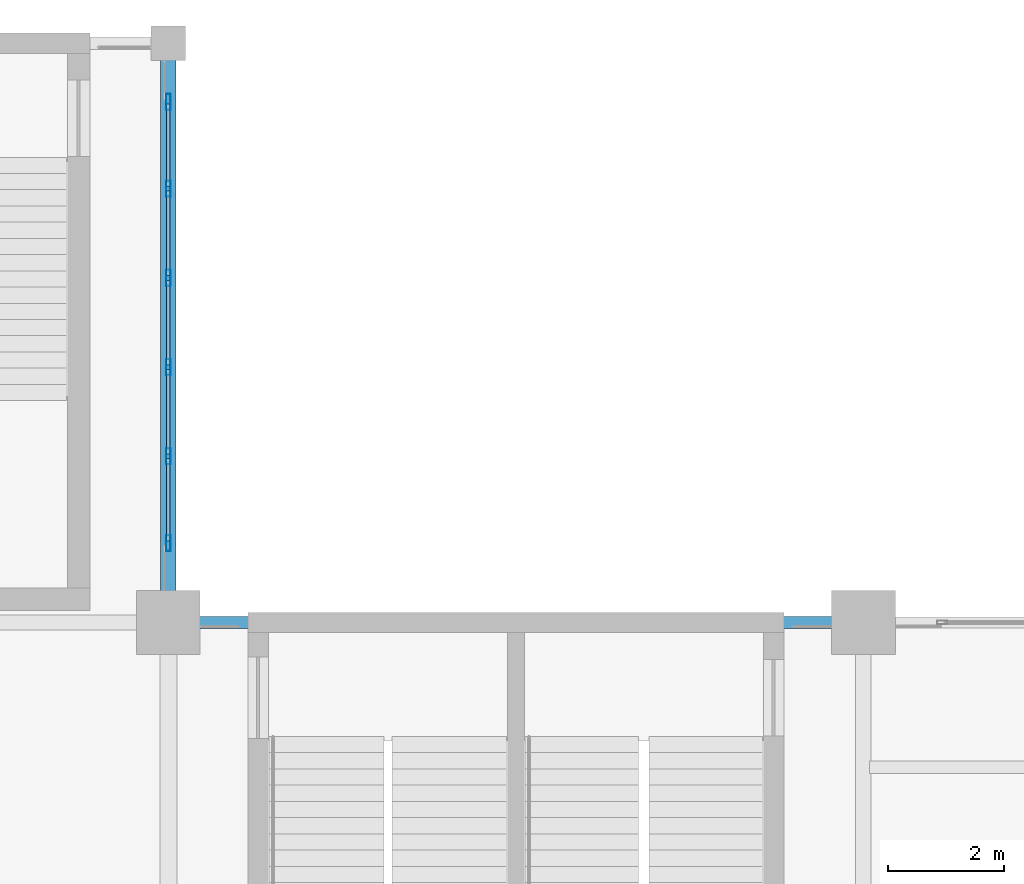
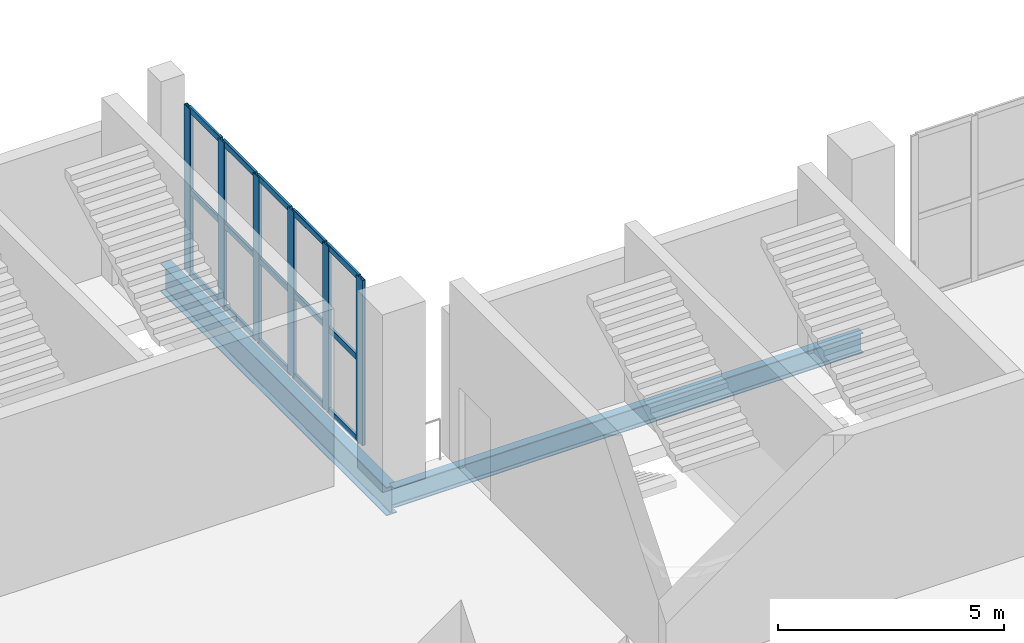
# One storey, part 87 of 136: 21 members, 2 beams, 1 element without a shape of its own.
"""IFC4 building model written with IfcOpenShell, lengths in metres."""

from ifc_helpers import new_model, si_unit, direction, frame, origin, origin_2d, place, context, subcontext, project, spatial, hollow_rectangle, i_section, extrude, material, layer, layer_set, material_profile, profile_set, type_object, element, aggregate, save


model = new_model("IFC4")

# Units and contexts
model_context = context("Model", 3, precision=1e-05, world=origin(), true_north=direction((0.0, 1.0)))
body_context = subcontext(model_context, "Body", "Model", "MODEL_VIEW")
ifc_project = project(units=[si_unit("LENGTHUNIT", "METRE"), si_unit("AREAUNIT", "SQUARE_METRE"), si_unit("VOLUMEUNIT", "CUBIC_METRE"), si_unit("PLANEANGLEUNIT", "RADIAN"), si_unit("MASSUNIT", "GRAM", prefix="KILO")], contexts=[model_context])

# Site, building, storey
site_placement = place(None, origin())
site = spatial("IfcSite", under=ifc_project, at=site_placement, CompositionType="ELEMENT")
building_placement = place(site_placement, origin())
building = spatial("IfcBuilding", under=site, at=building_placement, Name="Brinegate Civic Arena", CompositionType="ELEMENT")
storey_placement = place(building_placement, frame((0.0, 0.0, 5.39990234375)))
storey = spatial("IfcBuildingStorey", under=building, at=storey_placement, Name="L01", CompositionType="ELEMENT", Elevation=5.39990234375)

# Curtain wall, members
ifc_material_1 = material(Name="Marine grade aluminium", Category="aluminium")
ifc_layer = layer(ifc_material_1, 0.235107421875, Name="Marine grade aluminium")
ifc_layer_set = layer_set([ifc_layer], Name="Marine grade aluminium")
curtain_wall_type = type_object("IfcCurtainWallType", Name="CW-PORTAL-NORTH-01", PredefinedType="USERDEFINED", material=ifc_layer_set)
curtain_wall_placement = place(storey_placement, origin())
curtain_wall = element("IfcCurtainWall", 1, at=curtain_wall_placement, inside=storey, type_object=curtain_wall_type, Name="Curtain Wall CWA-069", ObjectType="PORTAL CURTAIN WALL", PredefinedType="USERDEFINED")
ifc_material_profile_1 = material_profile(ifc_material_1, hollow_rectangle(XDim=0.080078125, YDim=0.280029296875, WallThickness=0.007080078125, InnerFilletRadius=0.0048828125, OuterFilletRadius=0.010009765625, at=origin_2d()), Name="MUL80X280")
ifc_profile_set_1 = profile_set([ifc_material_profile_1], Name="Marine grade aluminium")
member_type_1 = type_object("IfcMemberType", Name="CW-MULLION-80X280", PredefinedType="MULLION", material=ifc_profile_set_1)
member_1_placement = place(storey_placement, frame((132.0, 115.367919921875, 0.0), z_axis=(0.0, 0.0, 1.0), x_axis=(-1.0, 0.0, 0.0)))
member_1 = element("IfcMember", 2, at=member_1_placement, type_object=member_type_1, Name="CWA-069 mullion 1", PredefinedType="MULLION", context=body_context, shape_type="SweptSolid", body=[
    extrude(hollow_rectangle(XDim=0.080078125, YDim=0.280029296875, WallThickness=0.007080078125, InnerFilletRadius=0.0048828125, OuterFilletRadius=0.010009765625, at=origin_2d()), origin(), (0.0, 0.0, 1.0), 4.47021484375),
])
member_2_placement = place(storey_placement, frame((132.0, 116.86767578125, 0.0), z_axis=(0.0, 0.0, 1.0), x_axis=(-1.0, 0.0, 0.0)))
member_2 = element("IfcMember", 3, at=member_2_placement, type_object=member_type_1, Name="CWA-069 mullion 2", PredefinedType="MULLION", context=body_context, shape_type="SweptSolid", body=[
    extrude(hollow_rectangle(XDim=0.080078125, YDim=0.280029296875, WallThickness=0.007080078125, InnerFilletRadius=0.0048828125, OuterFilletRadius=0.010009765625, at=origin_2d()), origin(), (0.0, 0.0, 1.0), 4.47021484375),
])
member_3_placement = place(storey_placement, frame((132.0, 118.4072265625, 0.0), z_axis=(0.0, 0.0, 1.0), x_axis=(-1.0, 0.0, 0.0)))
member_3 = element("IfcMember", 4, at=member_3_placement, type_object=member_type_1, Name="CWA-069 mullion 3", PredefinedType="MULLION", context=body_context, shape_type="SweptSolid", body=[
    extrude(hollow_rectangle(XDim=0.080078125, YDim=0.280029296875, WallThickness=0.007080078125, InnerFilletRadius=0.0048828125, OuterFilletRadius=0.010009765625, at=origin_2d()), origin(), (0.0, 0.0, 1.0), 4.47021484375),
])
member_4_placement = place(storey_placement, frame((132.0, 119.94677734375, 0.0), z_axis=(0.0, 0.0, 1.0), x_axis=(-1.0, 0.0, 0.0)))
member_4 = element("IfcMember", 5, at=member_4_placement, type_object=member_type_1, Name="CWA-069 mullion 4", PredefinedType="MULLION", context=body_context, shape_type="SweptSolid", body=[
    extrude(hollow_rectangle(XDim=0.080078125, YDim=0.280029296875, WallThickness=0.007080078125, InnerFilletRadius=0.0048828125, OuterFilletRadius=0.010009765625, at=origin_2d()), origin(), (0.0, 0.0, 1.0), 4.47021484375),
])
member_5_placement = place(storey_placement, frame((132.0, 121.486328125, 0.0), z_axis=(0.0, 0.0, 1.0), x_axis=(-1.0, 0.0, 0.0)))
member_5 = element("IfcMember", 6, at=member_5_placement, type_object=member_type_1, Name="CWA-069 mullion 5", PredefinedType="MULLION", context=body_context, shape_type="SweptSolid", body=[
    extrude(hollow_rectangle(XDim=0.080078125, YDim=0.280029296875, WallThickness=0.007080078125, InnerFilletRadius=0.0048828125, OuterFilletRadius=0.010009765625, at=origin_2d()), origin(), (0.0, 0.0, 1.0), 4.47021484375),
])
member_6_placement = place(storey_placement, frame((132.0, 122.986083984375, 0.0), z_axis=(0.0, 0.0, 1.0), x_axis=(-1.0, 0.0, 0.0)))
member_6 = element("IfcMember", 7, at=member_6_placement, type_object=member_type_1, Name="CWA-069 mullion 6", PredefinedType="MULLION", context=body_context, shape_type="SweptSolid", body=[
    extrude(hollow_rectangle(XDim=0.080078125, YDim=0.280029296875, WallThickness=0.007080078125, InnerFilletRadius=0.0048828125, OuterFilletRadius=0.010009765625, at=origin_2d()), origin(), (0.0, 0.0, 1.0), 4.47021484375),
])
ifc_material_profile_2 = material_profile(ifc_material_1, hollow_rectangle(XDim=0.06494140625, YDim=0.1650390625, WallThickness=0.0048828125, InnerFilletRadius=0.00390625, OuterFilletRadius=0.008056640625, at=origin_2d()), Name="TRN65X165")
ifc_profile_set_2 = profile_set([ifc_material_profile_2], Name="Marine grade aluminium")
member_type_2 = type_object("IfcMemberType", Name="CW-TRANSOM-65X165", PredefinedType="USERDEFINED", material=ifc_profile_set_2)
member_7_placement = place(storey_placement, frame((132.0, 115.407958984375, 0.03271484375), z_axis=(0.0, 1.0, 0.0), x_axis=(-1.0, 0.0, 0.0)))
member_7 = element("IfcMember", 8, at=member_7_placement, type_object=member_type_2, Name="CWA-069 transom 1.1", ObjectType="TRANSOM", PredefinedType="USERDEFINED", context=body_context, shape_type="SweptSolid", body=[
    extrude(hollow_rectangle(XDim=0.06494140625, YDim=0.1650390625, WallThickness=0.0048828125, InnerFilletRadius=0.00390625, OuterFilletRadius=0.008056640625, at=origin_2d()), origin(), (0.0, 0.0, 1.0), 1.419677734375),
])
member_8_placement = place(storey_placement, frame((132.0, 115.407958984375, 2.235107421875), z_axis=(0.0, 1.0, 0.0), x_axis=(-1.0, 0.0, 0.0)))
member_8 = element("IfcMember", 9, at=member_8_placement, type_object=member_type_2, Name="CWA-069 transom 1.2", ObjectType="TRANSOM", PredefinedType="USERDEFINED", context=body_context, shape_type="SweptSolid", body=[
    extrude(hollow_rectangle(XDim=0.06494140625, YDim=0.1650390625, WallThickness=0.0048828125, InnerFilletRadius=0.00390625, OuterFilletRadius=0.008056640625, at=origin_2d()), origin(), (0.0, 0.0, 1.0), 1.419677734375),
])
member_9_placement = place(storey_placement, frame((132.0, 115.407958984375, 4.4375), z_axis=(0.0, 1.0, 0.0), x_axis=(-1.0, 0.0, 0.0)))
member_9 = element("IfcMember", 10, at=member_9_placement, type_object=member_type_2, Name="CWA-069 transom 1.3", ObjectType="TRANSOM", PredefinedType="USERDEFINED", context=body_context, shape_type="SweptSolid", body=[
    extrude(hollow_rectangle(XDim=0.06494140625, YDim=0.1650390625, WallThickness=0.0048828125, InnerFilletRadius=0.00390625, OuterFilletRadius=0.008056640625, at=origin_2d()), origin(), (0.0, 0.0, 1.0), 1.419677734375),
])
member_10_placement = place(storey_placement, frame((132.0, 116.90771484375, 0.03271484375), z_axis=(0.0, 1.0, 0.0), x_axis=(-1.0, 0.0, 0.0)))
member_10 = element("IfcMember", 11, at=member_10_placement, type_object=member_type_2, Name="CWA-069 transom 2.1", ObjectType="TRANSOM", PredefinedType="USERDEFINED", context=body_context, shape_type="SweptSolid", body=[
    extrude(hollow_rectangle(XDim=0.06494140625, YDim=0.1650390625, WallThickness=0.0048828125, InnerFilletRadius=0.00390625, OuterFilletRadius=0.008056640625, at=origin_2d()), origin(), (0.0, 0.0, 1.0), 1.45947265625),
])
member_11_placement = place(storey_placement, frame((132.0, 116.90771484375, 2.235107421875), z_axis=(0.0, 1.0, 0.0), x_axis=(-1.0, 0.0, 0.0)))
member_11 = element("IfcMember", 12, at=member_11_placement, type_object=member_type_2, Name="CWA-069 transom 2.2", ObjectType="TRANSOM", PredefinedType="USERDEFINED", context=body_context, shape_type="SweptSolid", body=[
    extrude(hollow_rectangle(XDim=0.06494140625, YDim=0.1650390625, WallThickness=0.0048828125, InnerFilletRadius=0.00390625, OuterFilletRadius=0.008056640625, at=origin_2d()), origin(), (0.0, 0.0, 1.0), 1.45947265625),
])
member_12_placement = place(storey_placement, frame((132.0, 116.90771484375, 4.4375), z_axis=(0.0, 1.0, 0.0), x_axis=(-1.0, 0.0, 0.0)))
member_12 = element("IfcMember", 13, at=member_12_placement, type_object=member_type_2, Name="CWA-069 transom 2.3", ObjectType="TRANSOM", PredefinedType="USERDEFINED", context=body_context, shape_type="SweptSolid", body=[
    extrude(hollow_rectangle(XDim=0.06494140625, YDim=0.1650390625, WallThickness=0.0048828125, InnerFilletRadius=0.00390625, OuterFilletRadius=0.008056640625, at=origin_2d()), origin(), (0.0, 0.0, 1.0), 1.45947265625),
])
member_13_placement = place(storey_placement, frame((132.0, 118.447265625, 0.03271484375), z_axis=(0.0, 1.0, 0.0), x_axis=(-1.0, 0.0, 0.0)))
member_13 = element("IfcMember", 14, at=member_13_placement, type_object=member_type_2, Name="CWA-069 transom 3.1", ObjectType="TRANSOM", PredefinedType="USERDEFINED", context=body_context, shape_type="SweptSolid", body=[
    extrude(hollow_rectangle(XDim=0.06494140625, YDim=0.1650390625, WallThickness=0.0048828125, InnerFilletRadius=0.00390625, OuterFilletRadius=0.008056640625, at=origin_2d()), origin(), (0.0, 0.0, 1.0), 1.45947265625),
])
member_14_placement = place(storey_placement, frame((132.0, 118.447265625, 2.235107421875), z_axis=(0.0, 1.0, 0.0), x_axis=(-1.0, 0.0, 0.0)))
member_14 = element("IfcMember", 15, at=member_14_placement, type_object=member_type_2, Name="CWA-069 transom 3.2", ObjectType="TRANSOM", PredefinedType="USERDEFINED", context=body_context, shape_type="SweptSolid", body=[
    extrude(hollow_rectangle(XDim=0.06494140625, YDim=0.1650390625, WallThickness=0.0048828125, InnerFilletRadius=0.00390625, OuterFilletRadius=0.008056640625, at=origin_2d()), origin(), (0.0, 0.0, 1.0), 1.45947265625),
])
member_15_placement = place(storey_placement, frame((132.0, 118.447265625, 4.4375), z_axis=(0.0, 1.0, 0.0), x_axis=(-1.0, 0.0, 0.0)))
member_15 = element("IfcMember", 16, at=member_15_placement, type_object=member_type_2, Name="CWA-069 transom 3.3", ObjectType="TRANSOM", PredefinedType="USERDEFINED", context=body_context, shape_type="SweptSolid", body=[
    extrude(hollow_rectangle(XDim=0.06494140625, YDim=0.1650390625, WallThickness=0.0048828125, InnerFilletRadius=0.00390625, OuterFilletRadius=0.008056640625, at=origin_2d()), origin(), (0.0, 0.0, 1.0), 1.45947265625),
])
member_16_placement = place(storey_placement, frame((132.0, 119.98681640625, 0.03271484375), z_axis=(0.0, 1.0, 0.0), x_axis=(-1.0, 0.0, 0.0)))
member_16 = element("IfcMember", 17, at=member_16_placement, type_object=member_type_2, Name="CWA-069 transom 4.1", ObjectType="TRANSOM", PredefinedType="USERDEFINED", context=body_context, shape_type="SweptSolid", body=[
    extrude(hollow_rectangle(XDim=0.06494140625, YDim=0.1650390625, WallThickness=0.0048828125, InnerFilletRadius=0.00390625, OuterFilletRadius=0.008056640625, at=origin_2d()), origin(), (0.0, 0.0, 1.0), 1.45947265625),
])
member_17_placement = place(storey_placement, frame((132.0, 119.98681640625, 2.235107421875), z_axis=(0.0, 1.0, 0.0), x_axis=(-1.0, 0.0, 0.0)))
member_17 = element("IfcMember", 18, at=member_17_placement, type_object=member_type_2, Name="CWA-069 transom 4.2", ObjectType="TRANSOM", PredefinedType="USERDEFINED", context=body_context, shape_type="SweptSolid", body=[
    extrude(hollow_rectangle(XDim=0.06494140625, YDim=0.1650390625, WallThickness=0.0048828125, InnerFilletRadius=0.00390625, OuterFilletRadius=0.008056640625, at=origin_2d()), origin(), (0.0, 0.0, 1.0), 1.45947265625),
])
member_18_placement = place(storey_placement, frame((132.0, 119.98681640625, 4.4375), z_axis=(0.0, 1.0, 0.0), x_axis=(-1.0, 0.0, 0.0)))
member_18 = element("IfcMember", 19, at=member_18_placement, type_object=member_type_2, Name="CWA-069 transom 4.3", ObjectType="TRANSOM", PredefinedType="USERDEFINED", context=body_context, shape_type="SweptSolid", body=[
    extrude(hollow_rectangle(XDim=0.06494140625, YDim=0.1650390625, WallThickness=0.0048828125, InnerFilletRadius=0.00390625, OuterFilletRadius=0.008056640625, at=origin_2d()), origin(), (0.0, 0.0, 1.0), 1.45947265625),
])
member_19_placement = place(storey_placement, frame((132.0, 121.5263671875, 0.03271484375), z_axis=(0.0, 1.0, 0.0), x_axis=(-1.0, 0.0, 0.0)))
member_19 = element("IfcMember", 20, at=member_19_placement, type_object=member_type_2, Name="CWA-069 transom 5.1", ObjectType="TRANSOM", PredefinedType="USERDEFINED", context=body_context, shape_type="SweptSolid", body=[
    extrude(hollow_rectangle(XDim=0.06494140625, YDim=0.1650390625, WallThickness=0.0048828125, InnerFilletRadius=0.00390625, OuterFilletRadius=0.008056640625, at=origin_2d()), origin(), (0.0, 0.0, 1.0), 1.419677734375),
])
member_20_placement = place(storey_placement, frame((132.0, 121.5263671875, 2.235107421875), z_axis=(0.0, 1.0, 0.0), x_axis=(-1.0, 0.0, 0.0)))
member_20 = element("IfcMember", 21, at=member_20_placement, type_object=member_type_2, Name="CWA-069 transom 5.2", ObjectType="TRANSOM", PredefinedType="USERDEFINED", context=body_context, shape_type="SweptSolid", body=[
    extrude(hollow_rectangle(XDim=0.06494140625, YDim=0.1650390625, WallThickness=0.0048828125, InnerFilletRadius=0.00390625, OuterFilletRadius=0.008056640625, at=origin_2d()), origin(), (0.0, 0.0, 1.0), 1.419677734375),
])
member_21_placement = place(storey_placement, frame((132.0, 121.5263671875, 4.4375), z_axis=(0.0, 1.0, 0.0), x_axis=(-1.0, 0.0, 0.0)))
member_21 = element("IfcMember", 22, at=member_21_placement, type_object=member_type_2, Name="CWA-069 transom 5.3", ObjectType="TRANSOM", PredefinedType="USERDEFINED", context=body_context, shape_type="SweptSolid", body=[
    extrude(hollow_rectangle(XDim=0.06494140625, YDim=0.1650390625, WallThickness=0.0048828125, InnerFilletRadius=0.00390625, OuterFilletRadius=0.008056640625, at=origin_2d()), origin(), (0.0, 0.0, 1.0), 1.419677734375),
])
aggregate(curtain_wall, [member_1, member_2, member_3, member_4, member_5, member_6, member_7, member_8, member_9, member_10, member_11, member_12, member_13, member_14, member_15, member_16, member_17, member_18, member_19, member_20, member_21])

# Beams
ifc_material_2 = material(Name="Steel S355", Category="steel")
ifc_material_profile_3 = material_profile(ifc_material_2, i_section(OverallWidth=0.26806640625, OverallDepth=0.77001953125, WebThickness=0.01611328125, FlangeThickness=0.02490234375, FilletRadius=0.02001953125, at=origin_2d()), Name="W760X196")
ifc_profile_set_3 = profile_set([ifc_material_profile_3], Name="Steel S355")
beam_type_1 = type_object("IfcBeamType", Name="GIRDER-W760X196", PredefinedType="BEAM", material=ifc_profile_set_3)
beam_1_placement = place(storey_placement, frame((132.0, 114.0, -0.724853515625), z_axis=(0.0, 1.0, 0.0), x_axis=(-1.0, 0.0, 0.0)))
element("IfcBeam", 23, at=beam_1_placement, inside=storey, type_object=beam_type_1, Name="Floor Girder BM-L01-GY-11-11", PredefinedType="BEAM", context=body_context, shape_type="SweptSolid", body=[
    extrude(i_section(OverallWidth=0.26806640625, OverallDepth=0.77001953125, WebThickness=0.01611328125, FlangeThickness=0.02490234375, FilletRadius=0.02001953125, at=origin_2d()), origin(), (0.0, 0.0, 1.0), 10.0),
])
ifc_material_profile_4 = material_profile(ifc_material_2, i_section(OverallWidth=0.2119140625, OverallDepth=0.5439453125, WebThickness=0.012939453125, FlangeThickness=0.02099609375, FilletRadius=0.01611328125, at=origin_2d()), Name="W530X123")
ifc_profile_set_4 = profile_set([ifc_material_profile_4], Name="Steel S355")
beam_type_2 = type_object("IfcBeamType", Name="SPANDREL-W530X123", PredefinedType="SPANDREL", material=ifc_profile_set_4)
beam_2_placement = place(storey_placement, frame((132.0, 114.0, -0.61181640625), z_axis=(1.0, 0.0, 0.0), x_axis=(0.0, 1.0, 0.0)))
element("IfcBeam", 24, at=beam_2_placement, inside=storey, type_object=beam_type_2, Name="Floor Girder BM-L01-GX-11-11", PredefinedType="SPANDREL", context=body_context, shape_type="SweptSolid", body=[
    extrude(i_section(OverallWidth=0.2119140625, OverallDepth=0.5439453125, WebThickness=0.012939453125, FlangeThickness=0.02099609375, FilletRadius=0.01611328125, at=origin_2d()), origin(), (0.0, 0.0, 1.0), 12.0),
])

save(model, "model.ifc")
